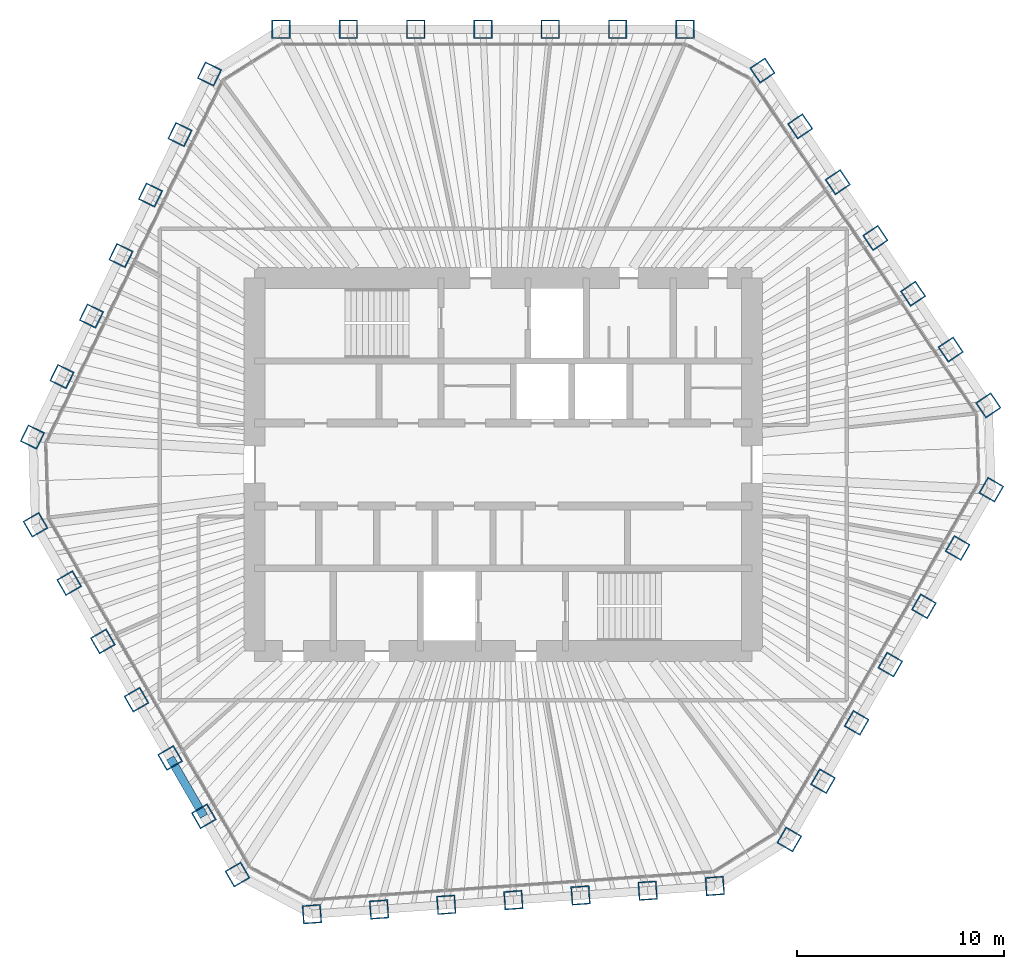
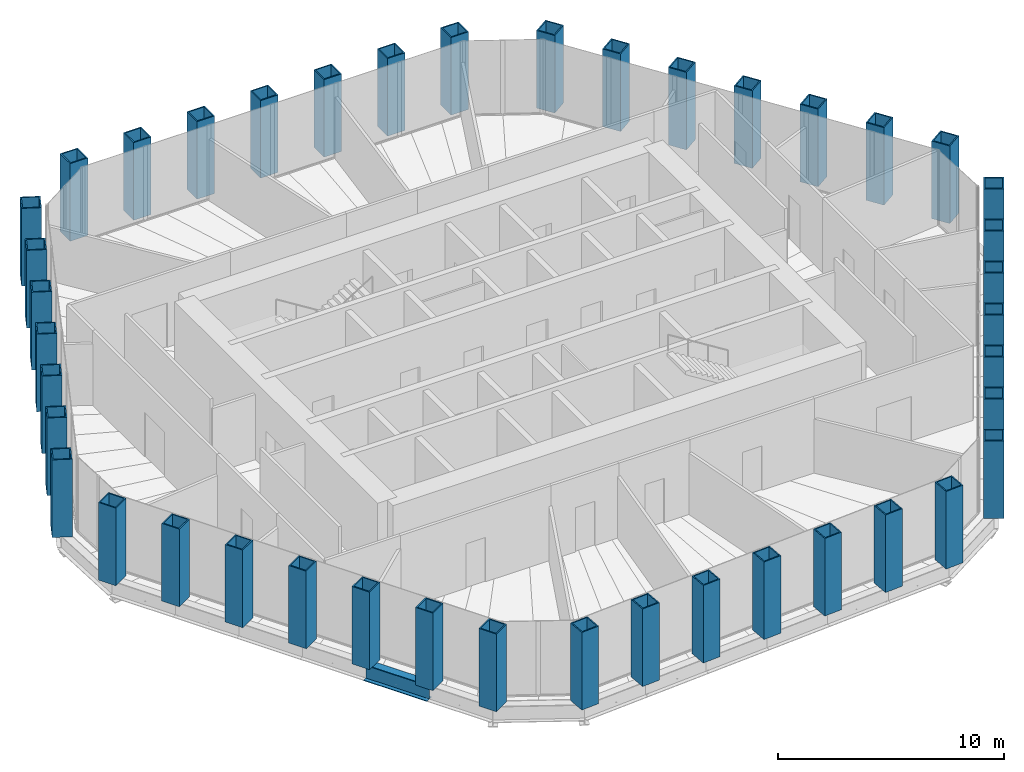
# One storey, part 1 of 14: 42 columns, 1 beam.
"""IFC4 building model written with IfcOpenShell, lengths in metres."""

from ifc_helpers import new_model, si_unit, direction, frame, origin, origin_2d, place, context, subcontext, project, spatial, hollow_rectangle, i_section, extrude, material, material_profile, profile_set, type_object, element, save


model = new_model("IFC4")

# Units and contexts
model_context = context("Model", 3, precision=1e-05, world=origin(), true_north=direction((0.0, 1.0)))
body_context = subcontext(model_context, "Body", "Model", "MODEL_VIEW")
ifc_project = project(units=[si_unit("LENGTHUNIT", "METRE"), si_unit("AREAUNIT", "SQUARE_METRE"), si_unit("VOLUMEUNIT", "CUBIC_METRE"), si_unit("PLANEANGLEUNIT", "RADIAN"), si_unit("MASSUNIT", "GRAM", prefix="KILO")], contexts=[model_context])

# Site, building, storey
site_placement = place(None, origin())
site = spatial("IfcSite", under=ifc_project, at=site_placement, CompositionType="ELEMENT")
building_placement = place(site_placement, origin())
building = spatial("IfcBuilding", under=site, at=building_placement, Name="Qingtian Harvest Tower", CompositionType="ELEMENT")
storey_placement = place(building_placement, frame((0.0, 0.0, 278.800048828125)))
storey = spatial("IfcBuildingStorey", under=building, at=storey_placement, Name="L61", CompositionType="ELEMENT", Elevation=278.800048828125)

# Columns
ifc_material_1 = material(Name="Steel SM570MC", Category="steel")
ifc_material_profile_1 = material_profile(ifc_material_1, hollow_rectangle(XDim=0.89990234375, YDim=0.89990234375, WallThickness=0.06005859375, at=origin_2d()), Name="BOX900x900x60")
ifc_profile_set_1 = profile_set([ifc_material_profile_1], Name="Steel SM570MC")
column_type = type_object("IfcColumnType", Name="Tube column TC7 BOX900x900x60", PredefinedType="COLUMN", material=ifc_profile_set_1)
for number, where, z_axis, x_axis, name in (
    (1, (-10.72216796875, 21.0, 0.0), (0.0, 0.0, 1.0), (-1.0, 0.0, 0.0), "Tube column TC7 N0"),
    (2, (-7.47412109375, 21.0, 0.0), (0.0, 0.0, 1.0), (-1.0, 0.0, 0.0), "Tube column TC7 N1"),
    (3, (-4.226318359375, 21.0, 0.0), (0.0, 0.0, 1.0), (-1.0, 0.0, 0.0), "Tube column TC7 N2"),
    (4, (-0.978271484375, 21.0, 0.0), (0.0, 0.0, 1.0), (-1.0, 0.0, 0.0), "Tube column TC7 N3"),
    (5, (2.269775390625, 21.0, 0.0), (0.0, 0.0, 1.0), (-1.0, 0.0, 0.0), "Tube column TC7 N4"),
    (6, (5.517822265625, 21.0, 0.0), (0.0, 0.0, 1.0), (-1.0, 0.0, 0.0), "Tube column TC7 N5"),
    (7, (8.765869140625, 21.0, 0.0), (0.0, 0.0, 1.0), (-1.0, 0.0, 0.0), "Tube column TC7 N6"),
    (8, (12.508056640625, 19.01025390625, 0.0), (0.0, 0.0, 1.0), (-0.559192903471, 0.829037572555, 0.0), "Tube column TC7 NE0"),
    (9, (14.32421875, 16.317626953125, 0.0), (0.0, 0.0, 1.0), (-0.559192903471, 0.829037572555, 0.0), "Tube column TC7 NE1"),
    (10, (16.140625, 13.624755859375, 0.0), (0.0, 0.0, 1.0), (-0.559192903471, 0.829037572555, 0.0), "Tube column TC7 NE2"),
    (11, (17.956787109375, 10.93212890625, 0.0), (0.0, 0.0, 1.0), (-0.559192903471, 0.829037572555, 0.0), "Tube column TC7 NE3"),
    (12, (19.77294921875, 8.2392578125, 0.0), (0.0, 0.0, 1.0), (-0.559192903471, 0.829037572555, 0.0), "Tube column TC7 NE4"),
    (13, (21.58935546875, 5.546630859375, 0.0), (0.0, 0.0, 1.0), (-0.559192903471, 0.829037572555, 0.0), "Tube column TC7 NE5"),
    (14, (23.405517578125, 2.85400390625, 0.0), (0.0, 0.0, 1.0), (-0.559192903471, 0.829037572555, 0.0), "Tube column TC7 NE6"),
    (15, (23.547607421875, -1.21435546875, 0.0), (0.0, 0.0, 1.0), (0.5, 0.866025403784, 0.0), "Tube column TC7 SE0"),
    (16, (21.923583984375, -4.027099609375, 0.0), (0.0, 0.0, 1.0), (0.5, 0.866025403784, 0.0), "Tube column TC7 SE1"),
    (17, (20.299560546875, -6.840087890625, 0.0), (0.0, 0.0, 1.0), (0.5, 0.866025403784, 0.0), "Tube column TC7 SE2"),
    (18, (18.675537109375, -9.65283203125, 0.0), (0.0, 0.0, 1.0), (0.5, 0.866025403784, 0.0), "Tube column TC7 SE3"),
    (19, (17.051513671875, -12.4658203125, 0.0), (0.0, 0.0, 1.0), (0.5, 0.866025403784, 0.0), "Tube column TC7 SE4"),
    (20, (15.427490234375, -15.278564453125, 0.0), (0.0, 0.0, 1.0), (0.5, 0.866025403784, 0.0), "Tube column TC7 SE5"),
    (21, (13.803466796875, -18.091552734375, 0.0), (0.0, 0.0, 1.0), (0.5, 0.866025403784, 0.0), "Tube column TC7 SE6"),
    (22, (10.20947265625, -20.33740234375, 0.0), (0.0, 0.0, 1.0), (0.99756405026, 0.069756473744, 0.0), "Tube column TC7 S0"),
    (23, (6.96923828125, -20.56396484375, 0.0), (0.0, 0.0, 1.0), (0.99756405026, 0.069756473744, 0.0), "Tube column TC7 S1"),
    (24, (3.729248046875, -20.79052734375, 0.0), (0.0, 0.0, 1.0), (0.99756405026, 0.069756473744, 0.0), "Tube column TC7 S2"),
    (25, (0.489013671875, -21.01708984375, 0.0), (0.0, 0.0, 1.0), (0.99756405026, 0.069756473744, 0.0), "Tube column TC7 S3"),
    (26, (-2.7509765625, -21.24365234375, 0.0), (0.0, 0.0, 1.0), (0.99756405026, 0.069756473744, 0.0), "Tube column TC7 S4"),
    (27, (-5.9912109375, -21.47021484375, 0.0), (0.0, 0.0, 1.0), (0.99756405026, 0.069756473744, 0.0), "Tube column TC7 S5"),
    (28, (-9.231201171875, -21.69677734375, 0.0), (0.0, 0.0, 1.0), (0.99756405026, 0.069756473744, 0.0), "Tube column TC7 S6"),
    (29, (-12.825439453125, -19.78564453125, 0.0), (0.0, 0.0, 1.0), (0.5, -0.866025403784, 0.0), "Tube column TC7 SW0"),
    (30, (-14.449462890625, -16.972900390625, 0.0), (0.0, 0.0, 1.0), (0.5, -0.866025403784, 0.0), "Tube column TC7 SW1"),
    (31, (-16.073486328125, -14.159912109375, 0.0), (0.0, 0.0, 1.0), (0.5, -0.866025403784, 0.0), "Tube column TC7 SW2"),
    (32, (-17.697509765625, -11.34716796875, 0.0), (0.0, 0.0, 1.0), (0.5, -0.866025403784, 0.0), "Tube column TC7 SW3"),
    (33, (-19.321533203125, -8.5341796875, 0.0), (0.0, 0.0, 1.0), (0.5, -0.866025403784, 0.0), "Tube column TC7 SW4"),
    (34, (-20.945556640625, -5.721435546875, 0.0), (0.0, 0.0, 1.0), (0.5, -0.866025403784, 0.0), "Tube column TC7 SW5"),
    (35, (-22.569580078125, -2.908447265625, 0.0), (0.0, 0.0, 1.0), (0.5, -0.866025403784, 0.0), "Tube column TC7 SW6"),
    (36, (-22.71728515625, 1.3271484375, 0.0), (0.0, 0.0, 1.0), (-0.438371146789, -0.898794046299, 0.0), "Tube column TC7 NW0"),
    (37, (-21.29345703125, 4.246337890625, 0.0), (0.0, 0.0, 1.0), (-0.438371146789, -0.898794046299, 0.0), "Tube column TC7 NW1"),
    (38, (-19.86962890625, 7.165771484375, 0.0), (0.0, 0.0, 1.0), (-0.438371146789, -0.898794046299, 0.0), "Tube column TC7 NW2"),
    (39, (-18.44580078125, 10.0849609375, 0.0), (0.0, 0.0, 1.0), (-0.438371146789, -0.898794046299, 0.0), "Tube column TC7 NW3"),
    (40, (-17.02197265625, 13.00439453125, 0.0), (0.0, 0.0, 1.0), (-0.438371146789, -0.898794046299, 0.0), "Tube column TC7 NW4"),
    (41, (-15.59814453125, 15.923583984375, 0.0), (0.0, 0.0, 1.0), (-0.438371146789, -0.898794046299, 0.0), "Tube column TC7 NW5"),
    (42, (-14.17431640625, 18.8427734375, 0.0), (0.0, 0.0, 1.0), (-0.438371146789, -0.898794046299, 0.0), "Tube column TC7 NW6"),
):
    element("IfcColumn", number, at=place(storey_placement, frame(where, z_axis=z_axis, x_axis=x_axis)), inside=storey, type_object=column_type, Name=name, PredefinedType="COLUMN", context=body_context, shape_type="SweptSolid", body=[
        extrude(hollow_rectangle(XDim=0.89990234375, YDim=0.89990234375, WallThickness=0.06005859375, at=origin_2d()), origin(), (0.0, 0.0, 1.0), 4.199951171875),
    ])

# Beam
ifc_material_2 = material(Name="Steel SN490B", Category="steel")
ifc_material_profile_2 = material_profile(ifc_material_2, i_section(OverallWidth=0.39990234375, OverallDepth=0.89990234375, WebThickness=0.01904296875, FlangeThickness=0.035888671875, at=origin_2d()), Name="H900x400x19x36")
ifc_profile_set_2 = profile_set([ifc_material_profile_2], Name="Steel SN490B")
beam_type = type_object("IfcBeamType", Name="Spandrel beam SB4 H900x400x19x36", PredefinedType="SPANDREL", material=ifc_profile_set_2)
beam_placement = place(storey_placement, frame((-14.449462890625, -16.972900390625, -0.449951171875), z_axis=(-0.499987045439, 0.866032882975, 0.0), x_axis=(-0.866032882975, -0.499987045439, 0.0)))
element("IfcBeam", 43, at=beam_placement, inside=storey, type_object=beam_type, Name="Spandrel SB4 SW1", PredefinedType="SPANDREL", context=body_context, shape_type="SweptSolid", body=[
    extrude(i_section(OverallWidth=0.39990234375, OverallDepth=0.89990234375, WebThickness=0.01904296875, FlangeThickness=0.035888671875, at=origin_2d()), origin(), (0.0, 0.0, 1.0), 3.248046875),
])

save(model, "model.ifc")
